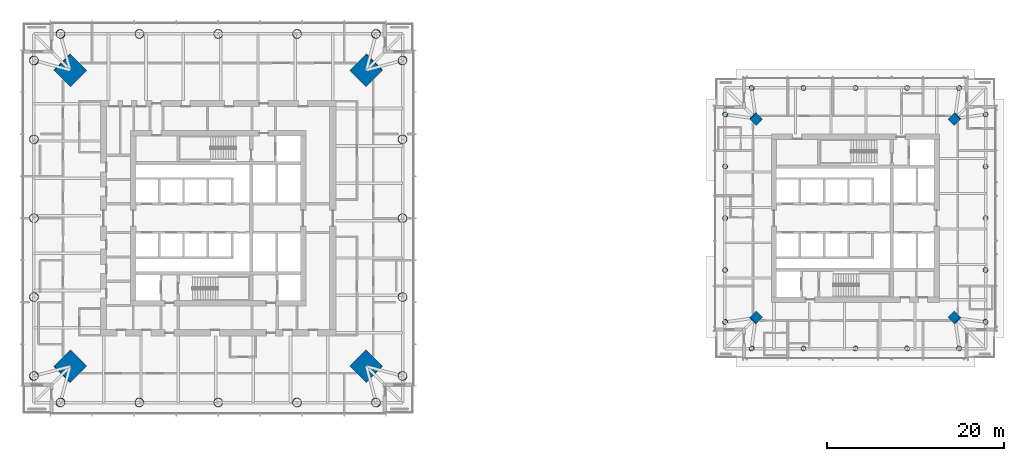
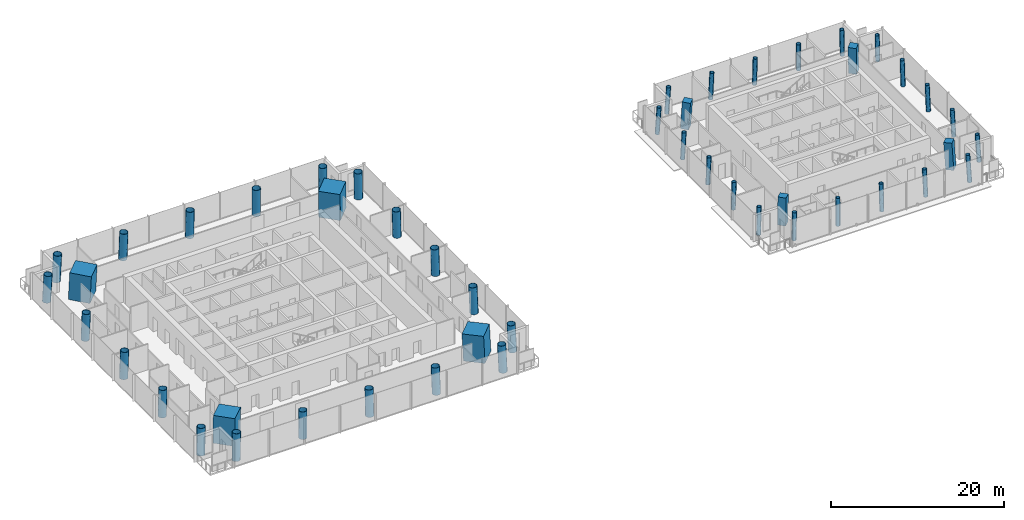
# One storey, part 1 of 19: 48 columns.
"""IFC4 building model written with IfcOpenShell, lengths in metres."""

from ifc_helpers import new_model, si_unit, direction, frame, origin, origin_2d, place, context, subcontext, project, spatial, rectangle, hollow_circle, extrude, material, material_profile, profile_set, type_object, element, save


model = new_model("IFC4")

# Units and contexts
model_context = context("Model", 3, precision=1e-05, world=origin(), true_north=direction((0.0, 1.0)))
body_context = subcontext(model_context, "Body", "Model", "MODEL_VIEW")
ifc_project = project(units=[si_unit("LENGTHUNIT", "METRE"), si_unit("AREAUNIT", "SQUARE_METRE"), si_unit("VOLUMEUNIT", "CUBIC_METRE"), si_unit("PLANEANGLEUNIT", "RADIAN"), si_unit("MASSUNIT", "GRAM", prefix="KILO")], contexts=[model_context])

# Site, building, storey
site_placement = place(None, origin())
site = spatial("IfcSite", under=ifc_project, at=site_placement, CompositionType="ELEMENT")
building_placement = place(site_placement, origin())
building = spatial("IfcBuilding", under=site, at=building_placement, Name="Ostroluk Exchange", CompositionType="ELEMENT")
storey_placement = place(building_placement, frame((0.0, 0.0, 119.800048828125)))
storey = spatial("IfcBuildingStorey", under=building, at=storey_placement, Name="L30", CompositionType="ELEMENT", Elevation=119.800048828125)

# Columns
ifc_material_1 = material(Name="Concrete C50/60", Category="concrete")
ifc_material_profile_1 = material_profile(ifc_material_1, rectangle(XDim=1.0, YDim=1.0, at=origin_2d()), Name="RC 1000x1000")
ifc_profile_set_1 = profile_set([ifc_material_profile_1], Name="Concrete C50/60")
column_type_1 = type_object("IfcColumnType", Name="Mega column RC 1000x1000", PredefinedType="COLUMN", material=ifc_profile_set_1)
for number, where, z_axis, x_axis, name in (
    (1, (128.241455078125, 57.241455078125, 0.0), (-0.043029647111, -0.043029647111, 0.998146732169), (0.707106781187, -0.707106781187, 0.0), "T2 mega column NE"),
    (2, (105.758544921875, 57.241455078125, 0.0), (0.043029647111, -0.043029647111, 0.998146732169), (0.707106781187, 0.707106781187, 0.0), "T2 mega column NW"),
    (3, (105.758544921875, 34.758544921875, 0.0), (0.043029647111, 0.043029647111, 0.998146732169), (-0.707106781187, 0.707106781187, 0.0), "T2 mega column SW"),
    (4, (128.241455078125, 34.758544921875, 0.0), (-0.043029647111, 0.043029647111, 0.998146732169), (-0.707106781187, -0.707106781187, 0.0), "T2 mega column SE"),
):
    element("IfcColumn", number, at=place(storey_placement, frame(where, z_axis=z_axis, x_axis=x_axis)), inside=storey, type_object=column_type_1, Name=name, PredefinedType="COLUMN", context=body_context, shape_type="SweptSolid", body=[
        extrude(rectangle(XDim=1.0, YDim=1.0, at=origin_2d()), origin(), (0.0, 0.0, 1.0), 3.80712890625),
    ])
ifc_material_2 = material(Name="Concrete C50/60", Category="concrete")
ifc_material_profile_2 = material_profile(ifc_material_2, rectangle(XDim=2.60009765625, YDim=2.60009765625, at=origin_2d()), Name="RC 2600x2600")
ifc_profile_set_2 = profile_set([ifc_material_profile_2], Name="Concrete C50/60")
column_type_2 = type_object("IfcColumnType", Name="Mega column RC 2600x2600", PredefinedType="COLUMN", material=ifc_profile_set_2)
for number, where, z_axis, x_axis, name in (
    (5, (61.742919921875, 62.742919921875, 0.0), (-0.031962158256, -0.031962158256, 0.998977898093), (0.707106781187, -0.707106781187, 0.0), "T1 mega column NE"),
    (6, (28.257080078125, 62.742919921875, 0.0), (0.031962158256, -0.031962158256, 0.998977898093), (0.707106781187, 0.707106781187, 0.0), "T1 mega column NW"),
    (7, (28.257080078125, 29.257080078125, 0.0), (0.031962158256, 0.031962158256, 0.998977898093), (-0.707106781187, 0.707106781187, 0.0), "T1 mega column SW"),
    (8, (61.742919921875, 29.257080078125, 0.0), (-0.031962158256, 0.031962158256, 0.998977898093), (-0.707106781187, -0.707106781187, 0.0), "T1 mega column SE"),
):
    element("IfcColumn", number, at=place(storey_placement, frame(where, z_axis=z_axis, x_axis=x_axis)), inside=storey, type_object=column_type_2, Name=name, PredefinedType="COLUMN", context=body_context, shape_type="SweptSolid", body=[
        extrude(rectangle(XDim=2.60009765625, YDim=2.60009765625, at=origin_2d()), origin(), (0.0, 0.0, 1.0), 3.803955078125),
    ])
ifc_material_3 = material(Name="Steel S460", Category="steel")
ifc_material_profile_3 = material_profile(ifc_material_3, hollow_circle(Radius=0.508056640625, WallThickness=0.0400390625, at=origin_2d()), Name="CHS 1016x40")
ifc_profile_set_3 = profile_set([ifc_material_profile_3], Name="Steel S460")
column_type_3 = type_object("IfcColumnType", Name="Perimeter column CHS 1016x40", PredefinedType="COLUMN", material=ifc_profile_set_3)
for number, where, z_axis, x_axis, name in (
    (9, (65.8427734375, 28.1572265625, 0.0), (-0.031898107953, 0.031898107953, 0.998981992539), (-0.707106781187, -0.707106781187, 0.0), "T1 east face column E0"),
    (10, (65.8427734375, 63.8427734375, 0.0), (-0.031898107953, -0.031898107953, 0.998981992539), (0.707106781187, -0.707106781187, 0.0), "T1 east face column E1"),
):
    element("IfcColumn", number, at=place(storey_placement, frame(where, z_axis=z_axis, x_axis=x_axis)), inside=storey, type_object=column_type_3, Name=name, PredefinedType="COLUMN", context=body_context, shape_type="SweptSolid", body=[
        extrude(hollow_circle(Radius=0.508056640625, WallThickness=0.0400390625, at=origin_2d()), origin(), (0.0, 0.0, 1.0), 3.803955078125),
    ])
column_1_placement = place(storey_placement, frame((65.8427734375, 37.07861328125, 0.0), z_axis=(-0.031910269556, 0.015987237665, 0.999362868496), x_axis=(-0.447933021895, -0.894067115991, 0.0)))
element("IfcColumn", 11, at=column_1_placement, inside=storey, type_object=column_type_3, Name="T1 east face column I1", PredefinedType="COLUMN", context=body_context, shape_type="SweptSolid", body=[
    extrude(hollow_circle(Radius=0.508056640625, WallThickness=0.0400390625, at=origin_2d()), origin(), (0.0, 0.0, 1.0), 3.802490234375),
])
column_2_placement = place(storey_placement, frame((65.8427734375, 46.0, 0.0), z_axis=(-0.031914348339, 0.0, 0.999490607445), x_axis=(0.0, -1.0, 0.0)))
element("IfcColumn", 12, at=column_2_placement, inside=storey, type_object=column_type_3, Name="T1 east face column I2", PredefinedType="COLUMN", context=body_context, shape_type="SweptSolid", body=[
    extrude(hollow_circle(Radius=0.508056640625, WallThickness=0.0400390625, at=origin_2d()), origin(), (0.0, 0.0, 1.0), 3.802001953125),
])
column_3_placement = place(storey_placement, frame((65.8427734375, 54.92138671875, 0.0), z_axis=(-0.031910269556, -0.015987237665, 0.999362868496), x_axis=(0.447933021895, -0.894067115991, 0.0)))
element("IfcColumn", 13, at=column_3_placement, inside=storey, type_object=column_type_3, Name="T1 east face column I3", PredefinedType="COLUMN", context=body_context, shape_type="SweptSolid", body=[
    extrude(hollow_circle(Radius=0.508056640625, WallThickness=0.0400390625, at=origin_2d()), origin(), (0.0, 0.0, 1.0), 3.802490234375),
])
for number, where, z_axis, x_axis, name in (
    (14, (62.8427734375, 66.8427734375, 0.0), (-0.031898107953, -0.031898107953, 0.998981992539), (0.707106781187, -0.707106781187, 0.0), "T1 north face column E0"),
    (15, (27.1572265625, 66.8427734375, 0.0), (0.031898107953, -0.031898107953, 0.998981992539), (0.707106781187, 0.707106781187, 0.0), "T1 north face column E1"),
):
    element("IfcColumn", number, at=place(storey_placement, frame(where, z_axis=z_axis, x_axis=x_axis)), inside=storey, type_object=column_type_3, Name=name, PredefinedType="COLUMN", context=body_context, shape_type="SweptSolid", body=[
        extrude(hollow_circle(Radius=0.508056640625, WallThickness=0.0400390625, at=origin_2d()), origin(), (0.0, 0.0, 1.0), 3.803955078125),
    ])
column_4_placement = place(storey_placement, frame((53.92138671875, 66.8427734375, 0.0), z_axis=(-0.015987237665, -0.031910269556, 0.999362868496), x_axis=(0.894067115991, -0.447933021895, 0.0)))
element("IfcColumn", 16, at=column_4_placement, inside=storey, type_object=column_type_3, Name="T1 north face column I1", PredefinedType="COLUMN", context=body_context, shape_type="SweptSolid", body=[
    extrude(hollow_circle(Radius=0.508056640625, WallThickness=0.0400390625, at=origin_2d()), origin(), (0.0, 0.0, 1.0), 3.802490234375),
])
column_5_placement = place(storey_placement, frame((45.0, 66.8427734375, 0.0), z_axis=(0.0, -0.031914348339, 0.999490607445), x_axis=(1.0, 0.0, 0.0)))
element("IfcColumn", 17, at=column_5_placement, inside=storey, type_object=column_type_3, Name="T1 north face column I2", PredefinedType="COLUMN", context=body_context, shape_type="SweptSolid", body=[
    extrude(hollow_circle(Radius=0.508056640625, WallThickness=0.0400390625, at=origin_2d()), origin(), (0.0, 0.0, 1.0), 3.802001953125),
])
column_6_placement = place(storey_placement, frame((36.07861328125, 66.8427734375, 0.0), z_axis=(0.015987237665, -0.031910269556, 0.999362868496), x_axis=(0.894067115991, 0.447933021895, 0.0)))
element("IfcColumn", 18, at=column_6_placement, inside=storey, type_object=column_type_3, Name="T1 north face column I3", PredefinedType="COLUMN", context=body_context, shape_type="SweptSolid", body=[
    extrude(hollow_circle(Radius=0.508056640625, WallThickness=0.0400390625, at=origin_2d()), origin(), (0.0, 0.0, 1.0), 3.802490234375),
])
for number, where, z_axis, x_axis, name in (
    (19, (24.1572265625, 63.8427734375, 0.0), (0.031898107953, -0.031898107953, 0.998981992539), (0.707106781187, 0.707106781187, 0.0), "T1 west face column E0"),
    (20, (24.1572265625, 28.1572265625, 0.0), (0.031898107953, 0.031898107953, 0.998981992539), (-0.707106781187, 0.707106781187, 0.0), "T1 west face column E1"),
):
    element("IfcColumn", number, at=place(storey_placement, frame(where, z_axis=z_axis, x_axis=x_axis)), inside=storey, type_object=column_type_3, Name=name, PredefinedType="COLUMN", context=body_context, shape_type="SweptSolid", body=[
        extrude(hollow_circle(Radius=0.508056640625, WallThickness=0.0400390625, at=origin_2d()), origin(), (0.0, 0.0, 1.0), 3.803955078125),
    ])
column_7_placement = place(storey_placement, frame((24.1572265625, 54.92138671875, 0.0), z_axis=(0.031910269556, -0.015987237665, 0.999362868496), x_axis=(0.447933021895, 0.894067115991, 0.0)))
element("IfcColumn", 21, at=column_7_placement, inside=storey, type_object=column_type_3, Name="T1 west face column I1", PredefinedType="COLUMN", context=body_context, shape_type="SweptSolid", body=[
    extrude(hollow_circle(Radius=0.508056640625, WallThickness=0.0400390625, at=origin_2d()), origin(), (0.0, 0.0, 1.0), 3.802490234375),
])
column_8_placement = place(storey_placement, frame((24.1572265625, 46.0, 0.0), z_axis=(0.031914348339, 0.0, 0.999490607445), x_axis=(0.0, 1.0, 0.0)))
element("IfcColumn", 22, at=column_8_placement, inside=storey, type_object=column_type_3, Name="T1 west face column I2", PredefinedType="COLUMN", context=body_context, shape_type="SweptSolid", body=[
    extrude(hollow_circle(Radius=0.508056640625, WallThickness=0.0400390625, at=origin_2d()), origin(), (0.0, 0.0, 1.0), 3.802001953125),
])
column_9_placement = place(storey_placement, frame((24.1572265625, 37.07861328125, 0.0), z_axis=(0.031910269556, 0.015987237665, 0.999362868496), x_axis=(-0.447933021895, 0.894067115991, 0.0)))
element("IfcColumn", 23, at=column_9_placement, inside=storey, type_object=column_type_3, Name="T1 west face column I3", PredefinedType="COLUMN", context=body_context, shape_type="SweptSolid", body=[
    extrude(hollow_circle(Radius=0.508056640625, WallThickness=0.0400390625, at=origin_2d()), origin(), (0.0, 0.0, 1.0), 3.802490234375),
])
for number, where, z_axis, x_axis, name in (
    (24, (27.1572265625, 25.1572265625, 0.0), (0.031898107953, 0.031898107953, 0.998981992539), (-0.707106781187, 0.707106781187, 0.0), "T1 south face column E0"),
    (25, (62.8427734375, 25.1572265625, 0.0), (-0.031898107953, 0.031898107953, 0.998981992539), (-0.707106781187, -0.707106781187, 0.0), "T1 south face column E1"),
):
    element("IfcColumn", number, at=place(storey_placement, frame(where, z_axis=z_axis, x_axis=x_axis)), inside=storey, type_object=column_type_3, Name=name, PredefinedType="COLUMN", context=body_context, shape_type="SweptSolid", body=[
        extrude(hollow_circle(Radius=0.508056640625, WallThickness=0.0400390625, at=origin_2d()), origin(), (0.0, 0.0, 1.0), 3.803955078125),
    ])
column_10_placement = place(storey_placement, frame((36.07861328125, 25.1572265625, 0.0), z_axis=(0.015987237665, 0.031910269556, 0.999362868496), x_axis=(-0.894067115991, 0.447933021895, 0.0)))
element("IfcColumn", 26, at=column_10_placement, inside=storey, type_object=column_type_3, Name="T1 south face column I1", PredefinedType="COLUMN", context=body_context, shape_type="SweptSolid", body=[
    extrude(hollow_circle(Radius=0.508056640625, WallThickness=0.0400390625, at=origin_2d()), origin(), (0.0, 0.0, 1.0), 3.802490234375),
])
column_11_placement = place(storey_placement, frame((45.0, 25.1572265625, 0.0), z_axis=(0.0, 0.031914348339, 0.999490607445), x_axis=(-1.0, 0.0, 0.0)))
element("IfcColumn", 27, at=column_11_placement, inside=storey, type_object=column_type_3, Name="T1 south face column I2", PredefinedType="COLUMN", context=body_context, shape_type="SweptSolid", body=[
    extrude(hollow_circle(Radius=0.508056640625, WallThickness=0.0400390625, at=origin_2d()), origin(), (0.0, 0.0, 1.0), 3.802001953125),
])
column_12_placement = place(storey_placement, frame((53.92138671875, 25.1572265625, 0.0), z_axis=(-0.015987237665, 0.031910269556, 0.999362868496), x_axis=(-0.894067115991, -0.447933021895, 0.0)))
element("IfcColumn", 28, at=column_12_placement, inside=storey, type_object=column_type_3, Name="T1 south face column I3", PredefinedType="COLUMN", context=body_context, shape_type="SweptSolid", body=[
    extrude(hollow_circle(Radius=0.508056640625, WallThickness=0.0400390625, at=origin_2d()), origin(), (0.0, 0.0, 1.0), 3.802490234375),
])
ifc_material_4 = material(Name="Steel S460", Category="steel")
ifc_material_profile_4 = material_profile(ifc_material_4, hollow_circle(Radius=0.279541015625, WallThickness=0.02001953125, at=origin_2d()), Name="CHS 559x20")
ifc_profile_set_4 = profile_set([ifc_material_profile_4], Name="Steel S460")
column_type_4 = type_object("IfcColumnType", Name="Perimeter column CHS 559x20", PredefinedType="COLUMN", material=ifc_profile_set_4)
for number, where, z_axis, x_axis, name in (
    (29, (131.741455078125, 34.258544921875, 0.0), (-0.043029647111, 0.043029647111, 0.998146732169), (-0.707106781187, -0.707106781187, 0.0), "T2 east face column E0"),
    (30, (131.741455078125, 57.741455078125, 0.0), (-0.043029647111, -0.043029647111, 0.998146732169), (0.707106781187, -0.707106781187, 0.0), "T2 east face column E1"),
):
    element("IfcColumn", number, at=place(storey_placement, frame(where, z_axis=z_axis, x_axis=x_axis)), inside=storey, type_object=column_type_4, Name=name, PredefinedType="COLUMN", context=body_context, shape_type="SweptSolid", body=[
        extrude(hollow_circle(Radius=0.279541015625, WallThickness=0.02001953125, at=origin_2d()), origin(), (0.0, 0.0, 1.0), 3.80712890625),
    ])
column_13_placement = place(storey_placement, frame((131.741455078125, 40.12939453125, 0.0), z_axis=(-0.043059584825, 0.021497706284, 0.998841188968), x_axis=(-0.446680166538, -0.894693706707, 0.0)))
element("IfcColumn", 31, at=column_13_placement, inside=storey, type_object=column_type_4, Name="T2 east face column I1", PredefinedType="COLUMN", context=body_context, shape_type="SweptSolid", body=[
    extrude(hollow_circle(Radius=0.279541015625, WallThickness=0.02001953125, at=origin_2d()), origin(), (0.0, 0.0, 1.0), 3.804443359375),
])
column_14_placement = place(storey_placement, frame((131.741455078125, 46.0, 0.0), z_axis=(-0.043069538298, 0.0, 0.999072076915), x_axis=(0.0, -1.0, 0.0)))
element("IfcColumn", 32, at=column_14_placement, inside=storey, type_object=column_type_4, Name="T2 east face column I2", PredefinedType="COLUMN", context=body_context, shape_type="SweptSolid", body=[
    extrude(hollow_circle(Radius=0.279541015625, WallThickness=0.02001953125, at=origin_2d()), origin(), (0.0, 0.0, 1.0), 3.803466796875),
])
column_15_placement = place(storey_placement, frame((131.741455078125, 51.87060546875, 0.0), z_axis=(-0.043059584825, -0.021497706284, 0.998841188968), x_axis=(0.446680166538, -0.894693706707, 0.0)))
element("IfcColumn", 33, at=column_15_placement, inside=storey, type_object=column_type_4, Name="T2 east face column I3", PredefinedType="COLUMN", context=body_context, shape_type="SweptSolid", body=[
    extrude(hollow_circle(Radius=0.279541015625, WallThickness=0.02001953125, at=origin_2d()), origin(), (0.0, 0.0, 1.0), 3.804443359375),
])
for number, where, z_axis, x_axis, name in (
    (34, (128.741455078125, 60.741455078125, 0.0), (-0.043029647111, -0.043029647111, 0.998146732169), (0.707106781187, -0.707106781187, 0.0), "T2 north face column E0"),
    (35, (105.258544921875, 60.741455078125, 0.0), (0.043029647111, -0.043029647111, 0.998146732169), (0.707106781187, 0.707106781187, 0.0), "T2 north face column E1"),
):
    element("IfcColumn", number, at=place(storey_placement, frame(where, z_axis=z_axis, x_axis=x_axis)), inside=storey, type_object=column_type_4, Name=name, PredefinedType="COLUMN", context=body_context, shape_type="SweptSolid", body=[
        extrude(hollow_circle(Radius=0.279541015625, WallThickness=0.02001953125, at=origin_2d()), origin(), (0.0, 0.0, 1.0), 3.80712890625),
    ])
column_16_placement = place(storey_placement, frame((122.87060546875, 60.741455078125, 0.0), z_axis=(-0.021497706284, -0.043059584825, 0.998841188968), x_axis=(0.894693706707, -0.446680166538, 0.0)))
element("IfcColumn", 36, at=column_16_placement, inside=storey, type_object=column_type_4, Name="T2 north face column I1", PredefinedType="COLUMN", context=body_context, shape_type="SweptSolid", body=[
    extrude(hollow_circle(Radius=0.279541015625, WallThickness=0.02001953125, at=origin_2d()), origin(), (0.0, 0.0, 1.0), 3.804443359375),
])
column_17_placement = place(storey_placement, frame((117.0, 60.741455078125, 0.0), z_axis=(0.0, -0.043069538298, 0.999072076915), x_axis=(1.0, 0.0, 0.0)))
element("IfcColumn", 37, at=column_17_placement, inside=storey, type_object=column_type_4, Name="T2 north face column I2", PredefinedType="COLUMN", context=body_context, shape_type="SweptSolid", body=[
    extrude(hollow_circle(Radius=0.279541015625, WallThickness=0.02001953125, at=origin_2d()), origin(), (0.0, 0.0, 1.0), 3.803466796875),
])
column_18_placement = place(storey_placement, frame((111.12939453125, 60.741455078125, 0.0), z_axis=(0.021497706284, -0.043059584825, 0.998841188968), x_axis=(0.894693706707, 0.446680166538, 0.0)))
element("IfcColumn", 38, at=column_18_placement, inside=storey, type_object=column_type_4, Name="T2 north face column I3", PredefinedType="COLUMN", context=body_context, shape_type="SweptSolid", body=[
    extrude(hollow_circle(Radius=0.279541015625, WallThickness=0.02001953125, at=origin_2d()), origin(), (0.0, 0.0, 1.0), 3.804443359375),
])
for number, where, z_axis, x_axis, name in (
    (39, (102.258544921875, 57.741455078125, 0.0), (0.043029647111, -0.043029647111, 0.998146732169), (0.707106781187, 0.707106781187, 0.0), "T2 west face column E0"),
    (40, (102.258544921875, 34.258544921875, 0.0), (0.043029647111, 0.043029647111, 0.998146732169), (-0.707106781187, 0.707106781187, 0.0), "T2 west face column E1"),
):
    element("IfcColumn", number, at=place(storey_placement, frame(where, z_axis=z_axis, x_axis=x_axis)), inside=storey, type_object=column_type_4, Name=name, PredefinedType="COLUMN", context=body_context, shape_type="SweptSolid", body=[
        extrude(hollow_circle(Radius=0.279541015625, WallThickness=0.02001953125, at=origin_2d()), origin(), (0.0, 0.0, 1.0), 3.80712890625),
    ])
column_19_placement = place(storey_placement, frame((102.258544921875, 51.87060546875, 0.0), z_axis=(0.043059584825, -0.021497706284, 0.998841188968), x_axis=(0.446680166538, 0.894693706707, 0.0)))
element("IfcColumn", 41, at=column_19_placement, inside=storey, type_object=column_type_4, Name="T2 west face column I1", PredefinedType="COLUMN", context=body_context, shape_type="SweptSolid", body=[
    extrude(hollow_circle(Radius=0.279541015625, WallThickness=0.02001953125, at=origin_2d()), origin(), (0.0, 0.0, 1.0), 3.804443359375),
])
column_20_placement = place(storey_placement, frame((102.258544921875, 46.0, 0.0), z_axis=(0.043069538298, 0.0, 0.999072076915), x_axis=(0.0, 1.0, 0.0)))
element("IfcColumn", 42, at=column_20_placement, inside=storey, type_object=column_type_4, Name="T2 west face column I2", PredefinedType="COLUMN", context=body_context, shape_type="SweptSolid", body=[
    extrude(hollow_circle(Radius=0.279541015625, WallThickness=0.02001953125, at=origin_2d()), origin(), (0.0, 0.0, 1.0), 3.803466796875),
])
column_21_placement = place(storey_placement, frame((102.258544921875, 40.12939453125, 0.0), z_axis=(0.043059584825, 0.021497706284, 0.998841188968), x_axis=(-0.446680166538, 0.894693706707, 0.0)))
element("IfcColumn", 43, at=column_21_placement, inside=storey, type_object=column_type_4, Name="T2 west face column I3", PredefinedType="COLUMN", context=body_context, shape_type="SweptSolid", body=[
    extrude(hollow_circle(Radius=0.279541015625, WallThickness=0.02001953125, at=origin_2d()), origin(), (0.0, 0.0, 1.0), 3.804443359375),
])
for number, where, z_axis, x_axis, name in (
    (44, (105.258544921875, 31.258544921875, 0.0), (0.043029647111, 0.043029647111, 0.998146732169), (-0.707106781187, 0.707106781187, 0.0), "T2 south face column E0"),
    (45, (128.741455078125, 31.258544921875, 0.0), (-0.043029647111, 0.043029647111, 0.998146732169), (-0.707106781187, -0.707106781187, 0.0), "T2 south face column E1"),
):
    element("IfcColumn", number, at=place(storey_placement, frame(where, z_axis=z_axis, x_axis=x_axis)), inside=storey, type_object=column_type_4, Name=name, PredefinedType="COLUMN", context=body_context, shape_type="SweptSolid", body=[
        extrude(hollow_circle(Radius=0.279541015625, WallThickness=0.02001953125, at=origin_2d()), origin(), (0.0, 0.0, 1.0), 3.80712890625),
    ])
column_22_placement = place(storey_placement, frame((111.12939453125, 31.258544921875, 0.0), z_axis=(0.021497706284, 0.043059584825, 0.998841188968), x_axis=(-0.894693706707, 0.446680166538, 0.0)))
element("IfcColumn", 46, at=column_22_placement, inside=storey, type_object=column_type_4, Name="T2 south face column I1", PredefinedType="COLUMN", context=body_context, shape_type="SweptSolid", body=[
    extrude(hollow_circle(Radius=0.279541015625, WallThickness=0.02001953125, at=origin_2d()), origin(), (0.0, 0.0, 1.0), 3.804443359375),
])
column_23_placement = place(storey_placement, frame((117.0, 31.258544921875, 0.0), z_axis=(0.0, 0.043069538298, 0.999072076915), x_axis=(-1.0, 0.0, 0.0)))
element("IfcColumn", 47, at=column_23_placement, inside=storey, type_object=column_type_4, Name="T2 south face column I2", PredefinedType="COLUMN", context=body_context, shape_type="SweptSolid", body=[
    extrude(hollow_circle(Radius=0.279541015625, WallThickness=0.02001953125, at=origin_2d()), origin(), (0.0, 0.0, 1.0), 3.803466796875),
])
column_24_placement = place(storey_placement, frame((122.87060546875, 31.258544921875, 0.0), z_axis=(-0.021497706284, 0.043059584825, 0.998841188968), x_axis=(-0.894693706707, -0.446680166538, 0.0)))
element("IfcColumn", 48, at=column_24_placement, inside=storey, type_object=column_type_4, Name="T2 south face column I3", PredefinedType="COLUMN", context=body_context, shape_type="SweptSolid", body=[
    extrude(hollow_circle(Radius=0.279541015625, WallThickness=0.02001953125, at=origin_2d()), origin(), (0.0, 0.0, 1.0), 3.804443359375),
])

save(model, "model.ifc")
